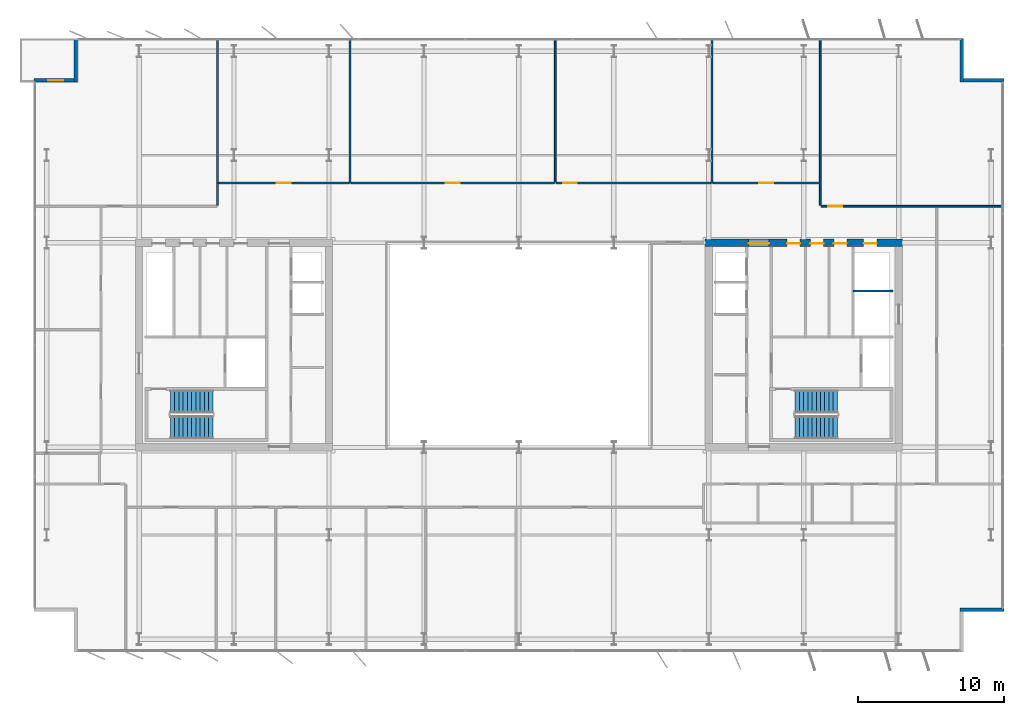
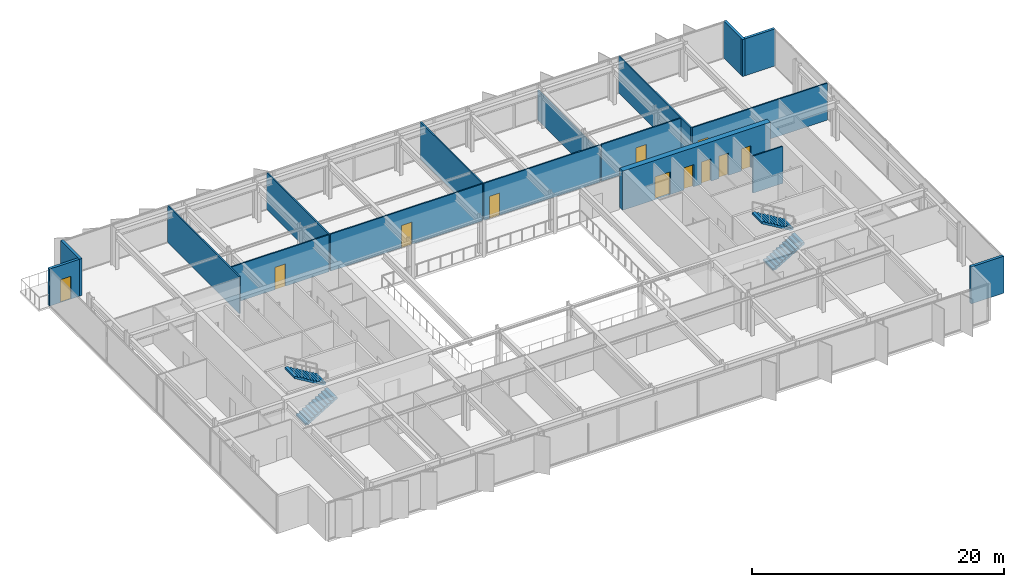
# One storey, part 19 of 23: 17 walls, 11 doors, 4 stair flights, 11 openings, 2 elements without a shape of their own.
"""IFC4 building model written with IfcOpenShell, lengths in metres."""

from ifc_helpers import new_model, si_unit, direction, frame, frame_2d, origin, place, context, subcontext, project, spatial, polyline, rectangle, outline, extrude, material, layer, layer_set, type_object, element, fill, aggregate, save


model = new_model("IFC4")

# Units and contexts
model_context = context("Model", 3, precision=1e-05, world=origin(), true_north=direction((0.0, 1.0)))
body_context = subcontext(model_context, "Body", "Model", "MODEL_VIEW")
ifc_project = project(units=[si_unit("LENGTHUNIT", "METRE"), si_unit("AREAUNIT", "SQUARE_METRE"), si_unit("VOLUMEUNIT", "CUBIC_METRE"), si_unit("PLANEANGLEUNIT", "RADIAN"), si_unit("MASSUNIT", "GRAM", prefix="KILO")], contexts=[model_context])

# Site, building, storey
site_placement = place(None, origin())
site = spatial("IfcSite", under=ifc_project, at=site_placement, CompositionType="ELEMENT")
building_placement = place(site_placement, origin())
building = spatial("IfcBuilding", under=site, at=building_placement, Name="Putna Gate Headquarters", CompositionType="ELEMENT")
storey_placement = place(building_placement, frame((0.0, 0.0, 213.800048828125)))
storey = spatial("IfcBuildingStorey", under=building, at=storey_placement, Name="L53", CompositionType="ELEMENT", Elevation=213.800048828125)

# Wall, openings, doors
ifc_material_1 = material(Name="Concrete C50/60", Category="concrete")
ifc_layer_1 = layer(ifc_material_1, 0.5)
ifc_layer_set_1 = layer_set([ifc_layer_1], Name="Concrete C50/60")
wall_type_1 = type_object("IfcWallType", Name="WALL-CORE-500", PredefinedType="SHEAR", material=ifc_layer_set_1)
wall_1_placement = place(storey_placement, frame((51.75, 33.0, 0.0), z_axis=(0.0, 0.0, 1.0), x_axis=(1.0, 0.0, 0.0)))
wall_1 = element("IfcWall", 1, at=wall_1_placement, inside=storey, type_object=wall_type_1, Name="L53 EC Split Core Shear Wall N", PredefinedType="SHEAR", context=body_context, shape_type="SweptSolid", body=[
    extrude(rectangle(XDim=13.5, YDim=0.5, at=frame_2d((6.75, 0.0))), origin(), (0.0, 0.0, 1.0), 3.800048828125),
])
opening_1_placement = place(wall_1_placement, frame((2.969970703125, 0.0, 0.0)))
opening_1 = element("IfcOpeningElement", 2, at=opening_1_placement, cuts=wall_1, Name="Opening FDD-140", PredefinedType="OPENING", context=body_context, shape_type="SweptSolid", body=[
    extrude(rectangle(XDim=1.39990234375, YDim=2.199951171875, at=frame_2d((0.699951171875, 1.10009765625))), frame((0.0, 0.260009765625, 0.0), z_axis=(0.0, -1.0, 0.0), x_axis=(1.0, 0.0, 0.0)), (0.0, 0.0, 1.0), 0.52001953125),
])
opening_2_placement = place(wall_1_placement, frame((10.85009765625, 0.0, 0.0)))
opening_2 = element("IfcOpeningElement", 3, at=opening_2_placement, cuts=wall_1, Name="Opening RD-90", PredefinedType="OPENING", context=body_context, shape_type="SweptSolid", body=[
    extrude(rectangle(XDim=0.89990234375, YDim=2.14990234375, at=frame_2d((0.449951171875, 1.074951171875))), frame((0.0, 0.260009765625, 0.0), z_axis=(0.0, -1.0, 0.0), x_axis=(1.0, 0.0, 0.0)), (0.0, 0.0, 1.0), 0.52001953125),
])
opening_3_placement = place(wall_1_placement, frame((5.60009765625, 0.0, 0.0)))
opening_3 = element("IfcOpeningElement", 4, at=opening_3_placement, cuts=wall_1, Name="Opening IDS-90", PredefinedType="OPENING", context=body_context, shape_type="SweptSolid", body=[
    extrude(rectangle(XDim=0.89990234375, YDim=2.14990234375, at=frame_2d((0.449951171875, 1.074951171875))), frame((0.0, 0.260009765625, 0.0), z_axis=(0.0, -1.0, 0.0), x_axis=(1.0, 0.0, 0.0)), (0.0, 0.0, 1.0), 0.52001953125),
])
opening_4_placement = place(wall_1_placement, frame((7.199951171875, 0.0, 0.0)))
opening_4 = element("IfcOpeningElement", 5, at=opening_4_placement, cuts=wall_1, Name="Opening IDS-90", PredefinedType="OPENING", context=body_context, shape_type="SweptSolid", body=[
    extrude(rectangle(XDim=0.89990234375, YDim=2.14990234375, at=frame_2d((0.449951171875, 1.074951171875))), frame((0.0, 0.260009765625, 0.0), z_axis=(0.0, -1.0, 0.0), x_axis=(1.0, 0.0, 0.0)), (0.0, 0.0, 1.0), 0.52001953125),
])
opening_5_placement = place(wall_1_placement, frame((8.800048828125, 0.0, 0.0)))
opening_5 = element("IfcOpeningElement", 6, at=opening_5_placement, cuts=wall_1, Name="Opening IDS-90", PredefinedType="OPENING", context=body_context, shape_type="SweptSolid", body=[
    extrude(rectangle(XDim=0.89990234375, YDim=2.14990234375, at=frame_2d((0.449951171875, 1.074951171875))), frame((0.0, 0.260009765625, 0.0), z_axis=(0.0, -1.0, 0.0), x_axis=(1.0, 0.0, 0.0)), (0.0, 0.0, 1.0), 0.52001953125),
])
ifc_material_2 = material(Name="Double steel fire door", Category="steel")
door_type_1 = type_object("IfcDoorType", Name="DOOR-FIRE-DBL-1400", OperationType="DOUBLE_DOOR_SINGLE_SWING", PredefinedType="DOOR", material=ifc_material_2)
door_1_placement = place(opening_1_placement, origin())
door_1 = element("IfcDoor", 7, at=door_1_placement, inside=storey, type_object=door_type_1, Name="L53 East Lift Lobby North Door", OperationType="DOUBLE_DOOR_SINGLE_SWING", OverallHeight=2.199951171875, OverallWidth=1.39990234375, PredefinedType="DOOR", context=body_context, shape_type="SweptSolid", body=[
    extrude(rectangle(XDim=1.39990234375, YDim=2.199951171875, at=frame_2d((0.699951171875, 1.10009765625))), frame((0.0, -0.02490234375, 0.0), z_axis=(0.0, -1.0, 0.0), x_axis=(1.0, 0.0, 0.0)), (0.0, 0.0, 1.0), 0.050048828125),
])
fill(opening_1, door_1)
ifc_material_3 = material(Name="Fire-rated utility door")
door_type_2 = type_object("IfcDoorType", Name="DOOR-INT-900", OperationType="NOTDEFINED", PredefinedType="DOOR", material=ifc_material_3)
door_2_placement = place(opening_3_placement, origin())
door_2 = element("IfcDoor", 8, at=door_2_placement, inside=storey, type_object=door_type_2, Name="L53 East Cleaner Store Door", OperationType="SINGLE_SWING_RIGHT", OverallHeight=2.14990234375, OverallWidth=0.89990234375, PredefinedType="DOOR", context=body_context, shape_type="SweptSolid", body=[
    extrude(rectangle(XDim=0.89990234375, YDim=2.14990234375, at=frame_2d((0.449951171875, 1.074951171875))), frame((0.0, -0.02490234375, 0.0), z_axis=(0.0, -1.0, 0.0), x_axis=(1.0, 0.0, 0.0)), (0.0, 0.0, 1.0), 0.050048828125),
])
fill(opening_3, door_2)
door_3_placement = place(opening_4_placement, origin())
door_3 = element("IfcDoor", 9, at=door_3_placement, inside=storey, type_object=door_type_2, Name="L53 BMS Outstation Door", OperationType="SINGLE_SWING_LEFT", OverallHeight=2.14990234375, OverallWidth=0.89990234375, PredefinedType="DOOR", context=body_context, shape_type="SweptSolid", body=[
    extrude(rectangle(XDim=0.89990234375, YDim=2.14990234375, at=frame_2d((0.449951171875, 1.074951171875))), frame((0.0, -0.02490234375, 0.0), z_axis=(0.0, -1.0, 0.0), x_axis=(1.0, 0.0, 0.0)), (0.0, 0.0, 1.0), 0.050048828125),
])
fill(opening_4, door_3)
door_4_placement = place(opening_5_placement, origin())
door_4 = element("IfcDoor", 10, at=door_4_placement, inside=storey, type_object=door_type_2, Name="L53 Facilities Equipment Store Door", OperationType="SINGLE_SWING_RIGHT", OverallHeight=2.14990234375, OverallWidth=0.89990234375, PredefinedType="DOOR", context=body_context, shape_type="SweptSolid", body=[
    extrude(rectangle(XDim=0.89990234375, YDim=2.14990234375, at=frame_2d((0.449951171875, 1.074951171875))), frame((0.0, -0.02490234375, 0.0), z_axis=(0.0, -1.0, 0.0), x_axis=(1.0, 0.0, 0.0)), (0.0, 0.0, 1.0), 0.050048828125),
])
fill(opening_5, door_4)
ifc_material_4 = material(Name="Steel riser access fire door", Category="steel")
door_type_3 = type_object("IfcDoorType", Name="DOOR-RISER-900", OperationType="NOTDEFINED", PredefinedType="DOOR", material=ifc_material_4)
door_5_placement = place(opening_2_placement, origin())
door_5 = element("IfcDoor", 11, at=door_5_placement, inside=storey, type_object=door_type_3, Name="L53 East Riser Access Door", OperationType="SINGLE_SWING_LEFT", OverallHeight=2.14990234375, OverallWidth=0.89990234375, PredefinedType="DOOR", context=body_context, shape_type="SweptSolid", body=[
    extrude(rectangle(XDim=0.89990234375, YDim=2.14990234375, at=frame_2d((0.449951171875, 1.074951171875))), frame((0.0, -0.02490234375, 0.0), z_axis=(0.0, -1.0, 0.0), x_axis=(1.0, 0.0, 0.0)), (0.0, 0.0, 1.0), 0.050048828125),
])
fill(opening_2, door_5)

# Wall
ifc_material_5 = material(Name="Precast concrete C40/50", Category="concrete")
ifc_layer_2 = layer(ifc_material_5, 0.239990234375)
ifc_layer_set_2 = layer_set([ifc_layer_2], Name="Precast concrete C40/50")
wall_type_2 = type_object("IfcWallType", Name="WALL-EXT-TERR-240", PredefinedType="STANDARD", material=ifc_layer_set_2)
wall_2_placement = place(storey_placement, frame((8.679931640625, 44.0, 0.0), z_axis=(0.0, 0.0, 1.0), x_axis=(0.0, 1.0, 0.0)))
element("IfcWall", 12, at=wall_2_placement, inside=storey, type_object=wall_type_2, Name="L53 Corner Notch Return Wall NW-V", PredefinedType="STANDARD", context=body_context, shape_type="SweptSolid", body=[
    extrude(rectangle(XDim=3.0, YDim=0.239990234375, at=frame_2d((1.5, 0.0))), origin(), (0.0, 0.0, 1.0), 3.579833984375),
])

# Wall, opening, door
wall_3_placement = place(storey_placement, frame((5.800048828125, 44.1201171875, 0.0), z_axis=(0.0, 0.0, 1.0), x_axis=(1.0, 0.0, 0.0)))
wall_3 = element("IfcWall", 13, at=wall_3_placement, inside=storey, type_object=wall_type_2, Name="L53 Corner Notch Return Wall NW-H", PredefinedType="STANDARD", context=body_context, shape_type="SweptSolid", body=[
    extrude(rectangle(XDim=3.0, YDim=0.239990234375, at=frame_2d((1.5, 0.0))), origin(), (0.0, 0.0, 1.0), 3.579833984375),
])
opening_6_placement = place(wall_3_placement, frame((1.0, 0.0, 0.0)))
opening_6 = element("IfcOpeningElement", 14, at=opening_6_placement, cuts=wall_3, Name="Opening TRD-1", PredefinedType="OPENING", context=body_context, shape_type="SweptSolid", body=[
    extrude(rectangle(XDim=1.0, YDim=2.199951171875, at=frame_2d((0.5, 1.10009765625))), frame((0.0, 0.1298828125, 0.0), z_axis=(0.0, -1.0, 0.0), x_axis=(1.0, 0.0, 0.0)), (0.0, 0.0, 1.0), 0.260009765625),
])
ifc_material_6 = material(Name="Thermally broken bronze glazed terrace door")
door_type_4 = type_object("IfcDoorType", Name="DOOR-TERR-EXT-1000", OperationType="NOTDEFINED", PredefinedType="DOOR", material=ifc_material_6)
door_6_placement = place(opening_6_placement, origin())
door_6 = element("IfcDoor", 15, at=door_6_placement, inside=storey, type_object=door_type_4, Name="L53 Spiral Sky Terrace Door NW", OperationType="SINGLE_SWING_RIGHT", OverallHeight=2.199951171875, OverallWidth=1.0, PredefinedType="DOOR", context=body_context, shape_type="SweptSolid", body=[
    extrude(rectangle(XDim=1.0, YDim=2.199951171875, at=frame_2d((0.5, 1.10009765625))), frame((0.0, 0.02490234375, 0.0), z_axis=(0.0, -1.0, 0.0), x_axis=(1.0, 0.0, 0.0)), (0.0, 0.0, 1.0), 0.050048828125),
])
fill(opening_6, door_6)

# Walls
for number, where, z_axis, x_axis, name in (
    (16, (69.320068359375, 47.0, 0.0), (0.0, 0.0, 1.0), (0.0, -1.0, 0.0), "L53 Corner Notch Return Wall NE-V"),
    (17, (69.199951171875, 44.1201171875, 0.0), (0.0, 0.0, 1.0), (1.0, 0.0, 0.0), "L53 Corner Notch Return Wall NE-H"),
    (18, (72.199951171875, 7.8798828125, 0.0), (0.0, 0.0, 1.0), (-1.0, 0.0, 0.0), "L53 Corner Notch Return Wall SE-H"),
):
    element("IfcWall", number, at=place(storey_placement, frame(where, z_axis=z_axis, x_axis=x_axis)), inside=storey, type_object=wall_type_2, Name=name, PredefinedType="STANDARD", context=body_context, shape_type="SweptSolid", body=[
        extrude(rectangle(XDim=3.0, YDim=0.239990234375, at=frame_2d((1.5, 0.0))), origin(), (0.0, 0.0, 1.0), 3.579833984375),
    ])
ifc_material_7 = material(Name="Acoustic gypsum board on metal stud")
ifc_layer_3 = layer(ifc_material_7, 0.1201171875)
ifc_layer_set_3 = layer_set([ifc_layer_3], Name="Acoustic gypsum board on metal stud")
wall_type_3 = type_object("IfcWallType", Name="WALL-PART-120", PredefinedType="PARTITIONING", material=ifc_layer_set_3)
wall_4_placement = place(storey_placement, frame((18.369140625, 35.56005859375, 0.0), z_axis=(0.0, 0.0, 1.0), x_axis=(0.0, 1.0, 0.0)))
element("IfcWall", 19, at=wall_4_placement, inside=storey, type_object=wall_type_3, Name="L53 Interior Wall PART-L53-NB-DIV-01", PredefinedType="PARTITIONING", context=body_context, shape_type="SweptSolid", body=[
    extrude(rectangle(XDim=11.419921875, YDim=0.1201171875, at=frame_2d((5.7099609375, 0.0))), origin(), (0.0, 0.0, 1.0), 3.579833984375),
])
for number, where, z_axis, x_axis, name in (
    (20, (27.443115234375, 37.159912109375, 0.0), (0.0, 0.0, 1.0), (0.0, 1.0, 0.0), "L53 Interior Wall PART-L53-NB-DIV-02"),
    (21, (41.483154296875, 37.159912109375, 0.0), (0.0, 0.0, 1.0), (0.0, 1.0, 0.0), "L53 Interior Wall PART-L53-NB-DIV-03"),
):
    element("IfcWall", number, at=place(storey_placement, frame(where, z_axis=z_axis, x_axis=x_axis)), inside=storey, type_object=wall_type_3, Name=name, PredefinedType="PARTITIONING", context=body_context, shape_type="SweptSolid", body=[
        extrude(rectangle(XDim=9.820068359375, YDim=0.1201171875, at=frame_2d((4.91015625, 0.0))), origin(), (0.0, 0.0, 1.0), 3.579833984375),
    ])
wall_5_placement = place(storey_placement, frame((52.214599609375, 37.159912109375, 0.0), z_axis=(0.0, 0.0, 1.0), x_axis=(0.0, 1.0, 0.0)))
element("IfcWall", 22, at=wall_5_placement, inside=storey, type_object=wall_type_3, Name="L53 Interior Wall PART-L53-NB-DIV-04", PredefinedType="PARTITIONING", context=body_context, shape_type="SweptSolid", body=[
    extrude(rectangle(XDim=9.820068359375, YDim=0.1201171875, at=frame_2d((4.91015625, 0.0))), origin(), (0.0, 0.0, 1.0), 2.8798828125),
])
wall_6_placement = place(storey_placement, frame((59.630859375, 35.56005859375, 0.0), z_axis=(0.0, 0.0, 1.0), x_axis=(0.0, 1.0, 0.0)))
element("IfcWall", 23, at=wall_6_placement, inside=storey, type_object=wall_type_3, Name="L53 Interior Wall PART-L53-NB-DIV-05", PredefinedType="PARTITIONING", context=body_context, shape_type="SweptSolid", body=[
    extrude(rectangle(XDim=11.419921875, YDim=0.1201171875, at=frame_2d((5.7099609375, 0.0))), origin(), (0.0, 0.0, 1.0), 3.579833984375),
])
ifc_material_8 = material(Name="Fire-rated shaftwall gypsum board on metal stud")
ifc_layer_4 = layer(ifc_material_8, 0.1201171875)
ifc_layer_set_4 = layer_set([ifc_layer_4], Name="Fire-rated shaftwall gypsum board on metal stud")
wall_type_4 = type_object("IfcWallType", Name="WALL-PART-120-EI120", PredefinedType="PARTITIONING", material=ifc_layer_set_4)
wall_7_placement = place(storey_placement, frame((61.8701171875, 29.699951171875, 0.0), z_axis=(0.0, 0.0, 1.0), x_axis=(1.0, 0.0, 0.0)))
element("IfcWall", 24, at=wall_7_placement, inside=storey, type_object=wall_type_4, Name="L53 Interior Wall CWINT-L53-EC-LF15-N", PredefinedType="PARTITIONING", context=body_context, shape_type="SweptSolid", body=[
    extrude(rectangle(XDim=2.72998046875, YDim=0.1201171875, at=frame_2d((1.364990234375, 0.0))), origin(), (0.0, 0.0, 1.0), 3.579833984375),
])

# Wall, opening, door
ifc_material_9 = material(Name="Fire-rated gypsum board on metal stud")
ifc_layer_5 = layer(ifc_material_9, 0.1201171875)
ifc_layer_set_5 = layer_set([ifc_layer_5], Name="Fire-rated gypsum board on metal stud")
wall_type_5 = type_object("IfcWallType", Name="WALL-PART-120-RATED", PredefinedType="PARTITIONING", material=ifc_layer_set_5)
wall_8_placement = place(storey_placement, frame((18.42919921875, 37.10009765625, 0.0), z_axis=(0.0, 0.0, 1.0), x_axis=(1.0, 0.0, 0.0)))
wall_8 = element("IfcWall", 25, at=wall_8_placement, inside=storey, type_object=wall_type_5, Name="L53 Interior Wall PART-L53-NB-CW-02", PredefinedType="PARTITIONING", context=body_context, shape_type="SweptSolid", body=[
    extrude(rectangle(XDim=8.953857421875, YDim=0.1201171875, at=frame_2d((4.47705078125, 0.0))), origin(), (0.0, 0.0, 1.0), 3.579833984375),
])
opening_7_placement = place(wall_8_placement, frame((4.001953125, 0.0, 0.0)))
opening_7 = element("IfcOpeningElement", 26, at=opening_7_placement, cuts=wall_8, Name="Opening FD-95", PredefinedType="OPENING", context=body_context, shape_type="SweptSolid", body=[
    extrude(rectangle(XDim=0.949951171875, YDim=2.14990234375, at=frame_2d((0.47509765625, 1.074951171875))), frame((0.0, 0.070068359375, 0.0), z_axis=(0.0, -1.0, 0.0), x_axis=(1.0, 0.0, 0.0)), (0.0, 0.0, 1.0), 0.14013671875),
])
ifc_material_10 = material(Name="Acoustic timber fire door", Category="wood")
door_type_5 = type_object("IfcDoorType", Name="DOOR-FIRE-950", OperationType="NOTDEFINED", PredefinedType="DOOR", material=ifc_material_10)
door_7_placement = place(opening_7_placement, origin())
door_7 = element("IfcDoor", 27, at=door_7_placement, inside=storey, type_object=door_type_5, Name="L53 Cellular Office 1 Door", OperationType="SINGLE_SWING_LEFT", OverallHeight=2.14990234375, OverallWidth=0.949951171875, PredefinedType="DOOR", context=body_context, shape_type="SweptSolid", body=[
    extrude(rectangle(XDim=0.949951171875, YDim=2.14990234375, at=frame_2d((0.47509765625, 1.074951171875))), frame((0.0, 0.02490234375, 0.0), z_axis=(0.0, -1.0, 0.0), x_axis=(1.0, 0.0, 0.0)), (0.0, 0.0, 1.0), 0.050048828125),
])
fill(opening_7, door_7)

wall_9_placement = place(storey_placement, frame((27.5029296875, 37.10009765625, 0.0), z_axis=(0.0, 0.0, 1.0), x_axis=(1.0, 0.0, 0.0)))
wall_9 = element("IfcWall", 28, at=wall_9_placement, inside=storey, type_object=wall_type_5, Name="L53 Interior Wall PART-L53-NB-CW-03", PredefinedType="PARTITIONING", context=body_context, shape_type="SweptSolid", body=[
    extrude(rectangle(XDim=13.920166015625, YDim=0.1201171875, at=frame_2d((6.9599609375, 0.0))), origin(), (0.0, 0.0, 1.0), 3.579833984375),
])
opening_8_placement = place(wall_9_placement, frame((6.485107421875, 0.0, 0.0)))
opening_8 = element("IfcOpeningElement", 29, at=opening_8_placement, cuts=wall_9, Name="Opening FD-95", PredefinedType="OPENING", context=body_context, shape_type="SweptSolid", body=[
    extrude(rectangle(XDim=0.949951171875, YDim=2.14990234375, at=frame_2d((0.47509765625, 1.074951171875))), frame((0.0, 0.070068359375, 0.0), z_axis=(0.0, -1.0, 0.0), x_axis=(1.0, 0.0, 0.0)), (0.0, 0.0, 1.0), 0.14013671875),
])
door_8_placement = place(opening_8_placement, origin())
door_8 = element("IfcDoor", 30, at=door_8_placement, inside=storey, type_object=door_type_5, Name="L53 Cellular Office 2 Door", OperationType="SINGLE_SWING_RIGHT", OverallHeight=2.14990234375, OverallWidth=0.949951171875, PredefinedType="DOOR", context=body_context, shape_type="SweptSolid", body=[
    extrude(rectangle(XDim=0.949951171875, YDim=2.14990234375, at=frame_2d((0.47509765625, 1.074951171875))), frame((0.0, 0.02490234375, 0.0), z_axis=(0.0, -1.0, 0.0), x_axis=(1.0, 0.0, 0.0)), (0.0, 0.0, 1.0), 0.050048828125),
])
fill(opening_8, door_8)

wall_10_placement = place(storey_placement, frame((41.543212890625, 37.10009765625, 0.0), z_axis=(0.0, 0.0, 1.0), x_axis=(1.0, 0.0, 0.0)))
wall_10 = element("IfcWall", 31, at=wall_10_placement, inside=storey, type_object=wall_type_5, Name="L53 Interior Wall PART-L53-NB-CW-04", PredefinedType="PARTITIONING", context=body_context, shape_type="SweptSolid", body=[
    extrude(rectangle(XDim=10.611328125, YDim=0.1201171875, at=frame_2d((5.3056640625, 0.0))), origin(), (0.0, 0.0, 1.0), 3.579833984375),
])
opening_9_placement = place(wall_10_placement, frame((0.47998046875, 0.0, 0.0)))
opening_9 = element("IfcOpeningElement", 32, at=opening_9_placement, cuts=wall_10, Name="Opening FD-95", PredefinedType="OPENING", context=body_context, shape_type="SweptSolid", body=[
    extrude(rectangle(XDim=0.949951171875, YDim=2.14990234375, at=frame_2d((0.47509765625, 1.074951171875))), frame((0.0, 0.070068359375, 0.0), z_axis=(0.0, -1.0, 0.0), x_axis=(1.0, 0.0, 0.0)), (0.0, 0.0, 1.0), 0.14013671875),
])
door_9_placement = place(opening_9_placement, origin())
door_9 = element("IfcDoor", 33, at=door_9_placement, inside=storey, type_object=door_type_5, Name="L53 Cellular Office 3 Door", OperationType="SINGLE_SWING_LEFT", OverallHeight=2.14990234375, OverallWidth=0.949951171875, PredefinedType="DOOR", context=body_context, shape_type="SweptSolid", body=[
    extrude(rectangle(XDim=0.949951171875, YDim=2.14990234375, at=frame_2d((0.47509765625, 1.074951171875))), frame((0.0, 0.02490234375, 0.0), z_axis=(0.0, -1.0, 0.0), x_axis=(1.0, 0.0, 0.0)), (0.0, 0.0, 1.0), 0.050048828125),
])
fill(opening_9, door_9)

wall_11_placement = place(storey_placement, frame((52.274658203125, 37.10009765625, 0.0), z_axis=(0.0, 0.0, 1.0), x_axis=(1.0, 0.0, 0.0)))
wall_11 = element("IfcWall", 34, at=wall_11_placement, inside=storey, type_object=wall_type_5, Name="L53 Interior Wall PART-L53-NB-CW-05", PredefinedType="PARTITIONING", context=body_context, shape_type="SweptSolid", body=[
    extrude(rectangle(XDim=7.296142578125, YDim=0.1201171875, at=frame_2d((3.64794921875, 0.0))), origin(), (0.0, 0.0, 1.0), 3.579833984375),
])
opening_10_placement = place(wall_11_placement, frame((3.173095703125, 0.0, 0.0)))
opening_10 = element("IfcOpeningElement", 35, at=opening_10_placement, cuts=wall_11, Name="Opening FD-95", PredefinedType="OPENING", context=body_context, shape_type="SweptSolid", body=[
    extrude(rectangle(XDim=0.949951171875, YDim=2.14990234375, at=frame_2d((0.47509765625, 1.074951171875))), frame((0.0, 0.070068359375, 0.0), z_axis=(0.0, -1.0, 0.0), x_axis=(1.0, 0.0, 0.0)), (0.0, 0.0, 1.0), 0.14013671875),
])
door_10_placement = place(opening_10_placement, origin())
door_10 = element("IfcDoor", 36, at=door_10_placement, inside=storey, type_object=door_type_5, Name="L53 Cellular Office 4 Door", OperationType="SINGLE_SWING_RIGHT", OverallHeight=2.14990234375, OverallWidth=0.949951171875, PredefinedType="DOOR", context=body_context, shape_type="SweptSolid", body=[
    extrude(rectangle(XDim=0.949951171875, YDim=2.14990234375, at=frame_2d((0.47509765625, 1.074951171875))), frame((0.0, 0.02490234375, 0.0), z_axis=(0.0, -1.0, 0.0), x_axis=(1.0, 0.0, 0.0)), (0.0, 0.0, 1.0), 0.050048828125),
])
fill(opening_10, door_10)

wall_12_placement = place(storey_placement, frame((59.69091796875, 35.5, 0.0), z_axis=(0.0, 0.0, 1.0), x_axis=(1.0, 0.0, 0.0)))
wall_12 = element("IfcWall", 37, at=wall_12_placement, inside=storey, type_object=wall_type_5, Name="L53 Interior Wall PART-L53-NB-CW-06", PredefinedType="PARTITIONING", context=body_context, shape_type="SweptSolid", body=[
    extrude(rectangle(XDim=12.3291015625, YDim=0.1201171875, at=frame_2d((6.16455078125, 0.0))), origin(), (0.0, 0.0, 1.0), 3.579833984375),
])
opening_11_placement = place(wall_12_placement, frame((0.47998046875, 0.0, 0.0)))
opening_11 = element("IfcOpeningElement", 38, at=opening_11_placement, cuts=wall_12, Name="Opening FD-95", PredefinedType="OPENING", context=body_context, shape_type="SweptSolid", body=[
    extrude(rectangle(XDim=0.949951171875, YDim=2.14990234375, at=frame_2d((0.47509765625, 1.074951171875))), frame((0.0, 0.070068359375, 0.0), z_axis=(0.0, -1.0, 0.0), x_axis=(1.0, 0.0, 0.0)), (0.0, 0.0, 1.0), 0.14013671875),
])
door_11_placement = place(opening_11_placement, origin())
door_11 = element("IfcDoor", 39, at=door_11_placement, inside=storey, type_object=door_type_5, Name="L53 Quiet Wellness Focus Studio 1 Door", OperationType="SINGLE_SWING_LEFT", OverallHeight=2.14990234375, OverallWidth=0.949951171875, PredefinedType="DOOR", context=body_context, shape_type="SweptSolid", body=[
    extrude(rectangle(XDim=0.949951171875, YDim=2.14990234375, at=frame_2d((0.47509765625, 1.074951171875))), frame((0.0, 0.02490234375, 0.0), z_axis=(0.0, -1.0, 0.0), x_axis=(1.0, 0.0, 0.0)), (0.0, 0.0, 1.0), 0.050048828125),
])
fill(opening_11, door_11)

# Stair, stair flights
ifc_material_11 = material(Name="Concrete C40/50", Category="concrete")
stair_type_1 = type_object("IfcStairType", Name="STAIR-ST1", PredefinedType="HALF_TURN_STAIR", material=ifc_material_11)
stair_1_placement = place(storey_placement, origin())
stair_1 = element("IfcStair", 40, at=stair_1_placement, inside=storey, type_object=stair_type_1, Name="L53 West Core Exit Stair ST1", PredefinedType="HALF_TURN_STAIR")
stair_flight_type_1 = type_object("IfcStairFlightType", Name="FLIGHT-ST1", PredefinedType="STRAIGHT", material=ifc_material_11)
stair_flight_1_placement = place(storey_placement, frame((15.14990234375, 20.375, 0.0), z_axis=(0.0, 0.0, 1.0), x_axis=(1.0, 0.0, 0.0)))
stair_flight_1 = element("IfcStairFlight", 41, at=stair_flight_1_placement, type_object=stair_flight_type_1, Name="ST1 flight 1", NumberOfRisers=11, NumberOfTreads=10, PredefinedType="STRAIGHT", RiserHeight=0.172727273, TreadLength=0.29, context=body_context, shape_type="SweptSolid", body=[
    extrude(outline(polyline([(0.0, 0.0), (0.0, 0.172607421875), (0.2900390625, 0.172607421875), (0.2900390625, 0.345458984375), (0.580078125, 0.345458984375), (0.580078125, 0.51806640625), (0.8701171875, 0.51806640625), (0.8701171875, 0.69091796875), (1.159912109375, 0.69091796875), (1.159912109375, 0.863525390625), (1.449951171875, 0.863525390625), (1.449951171875, 1.036376953125), (1.739990234375, 1.036376953125), (1.739990234375, 1.208984375), (2.030029296875, 1.208984375), (2.030029296875, 1.3818359375), (2.320068359375, 1.3818359375), (2.320068359375, 1.554443359375), (2.610107421875, 1.554443359375), (2.610107421875, 1.727294921875), (2.89990234375, 1.727294921875), (2.89990234375, 1.89990234375), (2.89990234375, 1.552734375), (0.29296875, 0.0), (0.0, 0.0)])), frame((0.0, 0.77490234375, 0.0), z_axis=(0.0, -1.0, 0.0), x_axis=(1.0, 0.0, 0.0)), (0.0, 0.0, 1.0), 1.550048828125),
])
stair_flight_2_placement = place(storey_placement, frame((18.050048828125, 22.125, 1.89990234375), z_axis=(0.0, 0.0, 1.0), x_axis=(-1.0, 0.0, 0.0)))
stair_flight_2 = element("IfcStairFlight", 42, at=stair_flight_2_placement, type_object=stair_flight_type_1, Name="ST1 flight 2", NumberOfRisers=11, NumberOfTreads=10, PredefinedType="STRAIGHT", RiserHeight=0.172727273, TreadLength=0.29, context=body_context, shape_type="SweptSolid", body=[
    extrude(outline(polyline([(0.0, 0.0), (0.0, 0.172607421875), (0.2900390625, 0.172607421875), (0.2900390625, 0.345458984375), (0.580078125, 0.345458984375), (0.580078125, 0.51806640625), (0.8701171875, 0.51806640625), (0.8701171875, 0.69091796875), (1.159912109375, 0.69091796875), (1.159912109375, 0.863525390625), (1.449951171875, 0.863525390625), (1.449951171875, 1.036376953125), (1.739990234375, 1.036376953125), (1.739990234375, 1.208984375), (2.030029296875, 1.208984375), (2.030029296875, 1.3818359375), (2.320068359375, 1.3818359375), (2.320068359375, 1.554443359375), (2.610107421875, 1.554443359375), (2.610107421875, 1.727294921875), (2.89990234375, 1.727294921875), (2.89990234375, 1.89990234375), (2.89990234375, 1.552734375), (0.29296875, 0.0), (0.0, 0.0)])), frame((0.0, 0.77490234375, 0.0), z_axis=(0.0, -1.0, 0.0), x_axis=(1.0, 0.0, 0.0)), (0.0, 0.0, 1.0), 1.550048828125),
])
aggregate(stair_1, [stair_flight_1, stair_flight_2])

stair_type_2 = type_object("IfcStairType", Name="STAIR-ST2", PredefinedType="HALF_TURN_STAIR", material=ifc_material_11)
stair_2_placement = place(storey_placement, origin())
stair_2 = element("IfcStair", 43, at=stair_2_placement, inside=storey, type_object=stair_type_2, Name="L53 East Core Exit Stair ST2", PredefinedType="HALF_TURN_STAIR")
stair_flight_type_2 = type_object("IfcStairFlightType", Name="FLIGHT-ST2", PredefinedType="STRAIGHT", material=ifc_material_11)
stair_flight_3_placement = place(storey_placement, frame((57.89990234375, 20.375, 0.0), z_axis=(0.0, 0.0, 1.0), x_axis=(1.0, 0.0, 0.0)))
stair_flight_3 = element("IfcStairFlight", 44, at=stair_flight_3_placement, type_object=stair_flight_type_2, Name="ST2 flight 1", NumberOfRisers=11, NumberOfTreads=10, PredefinedType="STRAIGHT", RiserHeight=0.172727273, TreadLength=0.29, context=body_context, shape_type="SweptSolid", body=[
    extrude(outline(polyline([(0.0, 0.0), (0.0, 0.172607421875), (0.2900390625, 0.172607421875), (0.2900390625, 0.345458984375), (0.580078125, 0.345458984375), (0.580078125, 0.51806640625), (0.8701171875, 0.51806640625), (0.8701171875, 0.69091796875), (1.159912109375, 0.69091796875), (1.159912109375, 0.863525390625), (1.449951171875, 0.863525390625), (1.449951171875, 1.036376953125), (1.739990234375, 1.036376953125), (1.739990234375, 1.208984375), (2.030029296875, 1.208984375), (2.030029296875, 1.3818359375), (2.320068359375, 1.3818359375), (2.320068359375, 1.554443359375), (2.610107421875, 1.554443359375), (2.610107421875, 1.727294921875), (2.89990234375, 1.727294921875), (2.89990234375, 1.89990234375), (2.89990234375, 1.552734375), (0.29296875, 0.0), (0.0, 0.0)])), frame((0.0, 0.77490234375, 0.0), z_axis=(0.0, -1.0, 0.0), x_axis=(1.0, 0.0, 0.0)), (0.0, 0.0, 1.0), 1.550048828125),
])
stair_flight_4_placement = place(storey_placement, frame((60.800048828125, 22.125, 1.89990234375), z_axis=(0.0, 0.0, 1.0), x_axis=(-1.0, 0.0, 0.0)))
stair_flight_4 = element("IfcStairFlight", 45, at=stair_flight_4_placement, type_object=stair_flight_type_2, Name="ST2 flight 2", NumberOfRisers=11, NumberOfTreads=10, PredefinedType="STRAIGHT", RiserHeight=0.172727273, TreadLength=0.29, context=body_context, shape_type="SweptSolid", body=[
    extrude(outline(polyline([(0.0, 0.0), (0.0, 0.172607421875), (0.2900390625, 0.172607421875), (0.2900390625, 0.345458984375), (0.580078125, 0.345458984375), (0.580078125, 0.51806640625), (0.8701171875, 0.51806640625), (0.8701171875, 0.69091796875), (1.159912109375, 0.69091796875), (1.159912109375, 0.863525390625), (1.449951171875, 0.863525390625), (1.449951171875, 1.036376953125), (1.739990234375, 1.036376953125), (1.739990234375, 1.208984375), (2.030029296875, 1.208984375), (2.030029296875, 1.3818359375), (2.320068359375, 1.3818359375), (2.320068359375, 1.554443359375), (2.610107421875, 1.554443359375), (2.610107421875, 1.727294921875), (2.89990234375, 1.727294921875), (2.89990234375, 1.89990234375), (2.89990234375, 1.552734375), (0.29296875, 0.0), (0.0, 0.0)])), frame((0.0, 0.77490234375, 0.0), z_axis=(0.0, -1.0, 0.0), x_axis=(1.0, 0.0, 0.0)), (0.0, 0.0, 1.0), 1.550048828125),
])
aggregate(stair_2, [stair_flight_3, stair_flight_4])

save(model, "model.ifc")
